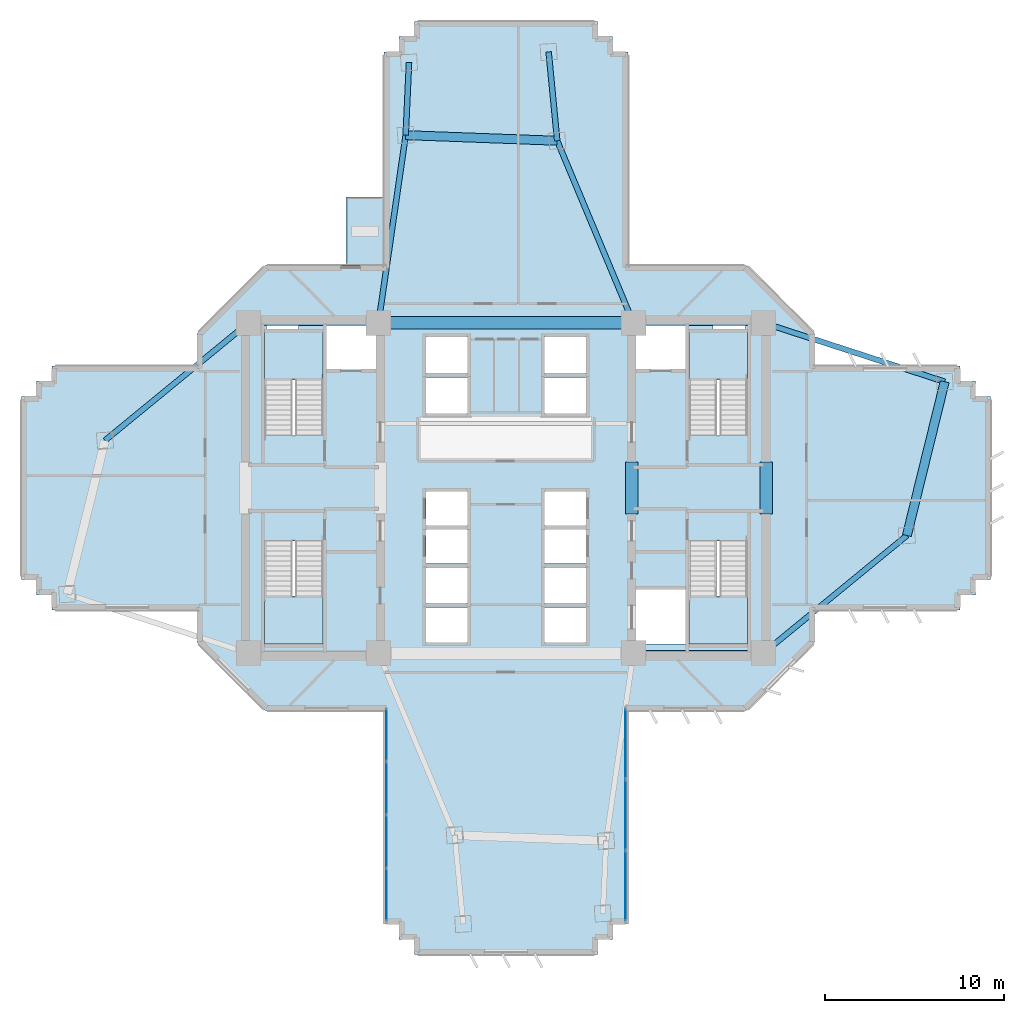
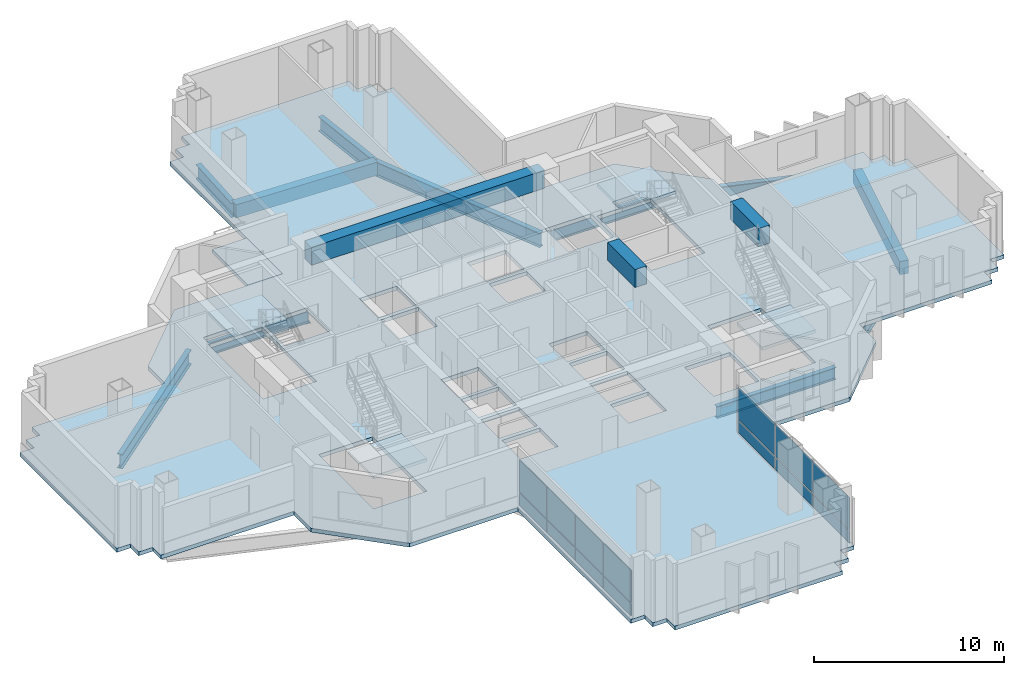
# One storey, part 4 of 14: 15 beams, 14 plates, 6 slabs, 6 elements without a shape of their own.
"""IFC4 building model written with IfcOpenShell, lengths in metres."""

import ifcopenshell
import ifcopenshell.guid

model = None  # the IFC model being written
_history = None  # IfcOwnerHistory: only IFC2X3 demands one
_inside = {}  # id of a spatial element -> (the spatial element, [elements in it])
_under = {}  # id of a project, library or spatial element -> (it, [spatial elements below it])
_declared = {}  # id of a project -> (the project, [libraries it declares])
_typed = {}  # id of a type object -> (the type object, [elements of that type])
_made_of = {}  # id of a material, layer set ... -> (it, [elements and type objects made of it])


def new_model(schema):
    """Start an empty IFC model of exactly this schema.

    Asked for "IFC4X3", IfcOpenShell would pick the latest addendum, in which some entities
    have other attributes; the version numbers below select the first issue.
    IFC2X3 requires an IfcOwnerHistory on every rooted entity: one is made here for all.
    """
    global model, _history
    if schema == "IFC4X3":
        model = ifcopenshell.file(schema_version=(4, 3, 0, 0))
    else:
        model = ifcopenshell.file(schema=schema)
    _inside.clear()
    _under.clear()
    _declared.clear()
    _typed.clear()
    _made_of.clear()
    _history = None
    if model.schema == "IFC2X3":
        org = make("IfcOrganization", Name="unknown")
        user = make(
            "IfcPersonAndOrganization",
            ThePerson=make("IfcPerson", FamilyName="unknown"),
            TheOrganization=org,
        )
        app = make(
            "IfcApplication",
            ApplicationDeveloper=org,
            Version="unknown",
            ApplicationFullName="unknown",
            ApplicationIdentifier="unknown",
        )
        _history = make(
            "IfcOwnerHistory",
            OwningUser=user,
            OwningApplication=app,
            ChangeAction="ADDED",
            CreationDate=0,
        )
    return model


def make(cls, **values):
    """One entity of the class cls with the attributes given. An attribute that is None is left unset."""
    return model.create_entity(
        cls, **{name: value for name, value in values.items() if value is not None}
    )


def rooted(cls, **values):
    """An entity with a GlobalId (a new one), such as an element, a storey or a relation."""
    return make(cls, GlobalId=ifcopenshell.guid.new(), OwnerHistory=_history, **values)


def si_unit(unit_type, name, prefix=None):
    """IfcSIUnit, for example si_unit("LENGTHUNIT", "METRE", prefix="MILLI")."""
    return make("IfcSIUnit", UnitType=unit_type, Prefix=prefix, Name=name)


def assignment(units):
    """IfcUnitAssignment: the units of a project."""
    return None if units is None else make("IfcUnitAssignment", Units=units)


def point(xyz):
    """IfcCartesianPoint."""
    return None if xyz is None else make("IfcCartesianPoint", Coordinates=xyz)


def direction(xyz):
    """IfcDirection."""
    return None if xyz is None else make("IfcDirection", DirectionRatios=xyz)


def frame(location, z_axis=None, x_axis=None):
    """IfcAxis2Placement3D, a coordinate frame: its origin and axes. An axis left out is left unset."""
    return make(
        "IfcAxis2Placement3D",
        Location=point(location),
        Axis=direction(z_axis),
        RefDirection=direction(x_axis),
    )


def frame_2d(location, x_axis=None):
    """IfcAxis2Placement2D, a coordinate frame in the plane: its origin and x axis."""
    return make(
        "IfcAxis2Placement2D", Location=point(location), RefDirection=direction(x_axis)
    )


def origin():
    """The frame at (0, 0, 0) with its axes left unset."""
    return frame((0.0, 0.0, 0.0))


def origin_2d():
    """The frame at (0, 0) in the plane with its x axis left unset."""
    return frame_2d((0.0, 0.0))


def place(relative_to, where):
    """IfcLocalPlacement: puts the frame where relative to a parent placement (None: the world)."""
    return make(
        "IfcLocalPlacement", PlacementRelTo=relative_to, RelativePlacement=where
    )


def context(
    kind, dimensions, precision=None, world=None, true_north=None, identifier=None
):
    """IfcGeometricRepresentationContext, for example the 3D "Model" context."""
    return make(
        "IfcGeometricRepresentationContext",
        ContextIdentifier=identifier,
        ContextType=kind,
        CoordinateSpaceDimension=dimensions,
        Precision=precision,
        WorldCoordinateSystem=world,
        TrueNorth=true_north,
    )


def subcontext(parent, identifier, kind, view, scale=None):
    """IfcGeometricRepresentationSubContext, for example "Body" below "Model"."""
    return make(
        "IfcGeometricRepresentationSubContext",
        ContextIdentifier=identifier,
        ContextType=kind,
        ParentContext=parent,
        TargetScale=scale,
        TargetView=view,
    )


def project(units=None, contexts=None):
    """IfcProject with its units and contexts."""
    return rooted(
        "IfcProject",
        Name="project",
        RepresentationContexts=contexts,
        UnitsInContext=assignment(units),
    )


def spatial(cls, under=None, at=None, **own):
    """A site, building, storey or space (cls), placed at a placement, below another one or the project."""
    s = rooted(cls, ObjectPlacement=at, **own)
    if under is not None:
        _under.setdefault(under.id(), (under, []))[1].append(s)
    return s


def polyline(points):
    """IfcPolyline through the points."""
    return make("IfcPolyline", Points=[point(p) for p in points])


def profile(cls, at=None, kind="AREA", **sizes):
    """A parametric profile (cls). Its sizes go by their IFC names, for example OverallWidth=200.0."""
    return make(cls, ProfileType=kind, Position=at, **sizes)


def rectangle(**sizes):
    """IfcRectangleProfileDef."""
    return profile("IfcRectangleProfileDef", **sizes)


def i_section(**sizes):
    """IfcIShapeProfileDef."""
    return profile("IfcIShapeProfileDef", **sizes)


def outline(outer, holes=None, kind="AREA"):
    """IfcArbitraryClosedProfileDef: a profile drawn as a closed curve; with holes, ...WithVoids."""
    if holes is None:
        return make("IfcArbitraryClosedProfileDef", ProfileType=kind, OuterCurve=outer)
    return make(
        "IfcArbitraryProfileDefWithVoids",
        ProfileType=kind,
        OuterCurve=outer,
        InnerCurves=holes,
    )


def extrude(swept, where, along, depth):
    """IfcExtrudedAreaSolid: the profile swept, set in the frame where, extruded along a direction by depth."""
    return make(
        "IfcExtrudedAreaSolid",
        SweptArea=swept,
        Position=where,
        ExtrudedDirection=direction(along),
        Depth=depth,
    )


def shape(context_of_items, identifier, shape_type, items):
    """IfcShapeRepresentation: the items that make up one representation, for example the "Body"."""
    return make(
        "IfcShapeRepresentation",
        ContextOfItems=context_of_items,
        RepresentationIdentifier=identifier,
        RepresentationType=shape_type,
        Items=items,
    )


def source(mapping_origin, context_of_items, identifier, shape_type, items):
    """IfcRepresentationMap: a shape defined once, which mapped items show again and again."""
    return make(
        "IfcRepresentationMap",
        MappingOrigin=mapping_origin,
        MappedRepresentation=shape(context_of_items, identifier, shape_type, items),
    )


def transform(
    local_origin,
    x_axis=None,
    y_axis=None,
    z_axis=None,
    scale=None,
    scale2=None,
    scale3=None,
    uniform=True,
):
    """IfcCartesianTransformationOperator3D, or its non-uniform kind. x_axis, y_axis, z_axis: its Axis1, 2, 3."""
    if uniform:
        return make(
            "IfcCartesianTransformationOperator3D",
            Axis1=direction(x_axis),
            Axis2=direction(y_axis),
            LocalOrigin=point(local_origin),
            Scale=scale,
            Axis3=direction(z_axis),
        )
    return make(
        "IfcCartesianTransformationOperator3DnonUniform",
        Axis1=direction(x_axis),
        Axis2=direction(y_axis),
        LocalOrigin=point(local_origin),
        Scale=scale,
        Axis3=direction(z_axis),
        Scale2=scale2,
        Scale3=scale3,
    )


def mapped(mapping_source, mapping_target):
    """IfcMappedItem: shows the shape of a source again, moved by a transform."""
    return make(
        "IfcMappedItem", MappingSource=mapping_source, MappingTarget=mapping_target
    )


def material(Name=None, Category=None):
    """IfcMaterial."""
    return make("IfcMaterial", Name=Name, Category=Category)


def layer(
    of_material, thickness, ventilated=None, Name=None, Category=None, Priority=None
):
    """IfcMaterialLayer: one layer of a wall or slab, of a material (None: an air gap)."""
    return make(
        "IfcMaterialLayer",
        Material=of_material,
        LayerThickness=thickness,
        IsVentilated=ventilated,
        Name=Name,
        Category=Category,
        Priority=Priority,
    )


def layer_set(layers, Name=None):
    """IfcMaterialLayerSet."""
    return make("IfcMaterialLayerSet", MaterialLayers=layers, LayerSetName=Name)


def material_profile(
    of_material, cross_section, Name=None, Category=None, Priority=None
):
    """IfcMaterialProfile: a cross section and its material."""
    return make(
        "IfcMaterialProfile",
        Name=Name,
        Material=of_material,
        Profile=cross_section,
        Priority=Priority,
        Category=Category,
    )


def profile_set(profiles, Name=None, composite=None):
    """IfcMaterialProfileSet."""
    return make(
        "IfcMaterialProfileSet",
        Name=Name,
        MaterialProfiles=profiles,
        CompositeProfile=composite,
    )


def made_of(thing, what):
    """Note that an element or type object is made of a material, layer set ...; save() writes the relation."""
    if what is not None:
        _made_of.setdefault(what.id(), (what, []))[1].append(thing)
    return thing


def type_object(cls, material=None, **own):
    """A type object (cls), such as IfcWallType, which elements share."""
    return made_of(rooted(cls, **own), material)


def element(
    cls,
    number,
    at=None,
    inside=None,
    cuts=None,
    type_object=None,
    material=None,
    context=None,
    identifier="Body",
    shape_type=None,
    held_by="IfcProductDefinitionShape",
    body=None,
    shapes=None,
    **own,
):
    """One element of the class cls, such as IfcWall. Its Tag is "e" and its number.

    at: its placement. inside: the storey or other place that contains it. cuts: it is an
    opening in that element (IfcRelVoidsElement). A single representation is given by context,
    identifier, shape_type and body (its items); several are given by shapes. held_by: the class
    of the entity that holds the representations. save() writes the other relations.
    """
    e = rooted(cls, Tag="e%d" % number, ObjectPlacement=at, **own)
    if body is not None:
        shapes = [shape(context, identifier, shape_type, body)]
    if shapes is not None:
        e.Representation = make(held_by, Representations=shapes)
    if inside is not None:
        _inside.setdefault(inside.id(), (inside, []))[1].append(e)
    if cuts is not None:
        rooted(
            "IfcRelVoidsElement", RelatingBuildingElement=cuts, RelatedOpeningElement=e
        )
    if type_object is not None:
        _typed.setdefault(type_object.id(), (type_object, []))[1].append(e)
    return made_of(e, material)


def aggregate(whole, parts):
    """IfcRelAggregates: a whole, such as a stair, and the parts it consists of."""
    return rooted("IfcRelAggregates", RelatingObject=whole, RelatedObjects=parts)


def save(model, path):
    """Write the relations noted so far, then the file.

    IfcRelAggregates (storeys below a building ...), IfcRelContainedInSpatialStructure (elements
    in a storey), IfcRelDefinesByType, IfcRelAssociatesMaterial and IfcRelDeclares: one each for
    every whole, place, type object, material and project.
    """
    for whole, parts in _under.values():
        aggregate(whole, parts)
    for where, things in _inside.values():
        rooted(
            "IfcRelContainedInSpatialStructure",
            RelatedElements=things,
            RelatingStructure=where,
        )
    for kind, things in _typed.values():
        rooted("IfcRelDefinesByType", RelatedObjects=things, RelatingType=kind)
    for what, things in _made_of.values():
        rooted("IfcRelAssociatesMaterial", RelatedObjects=things, RelatingMaterial=what)
    for by, libraries in _declared.values():
        rooted("IfcRelDeclares", RelatingContext=by, RelatedDefinitions=libraries)
    model.write(path)


model = new_model("IFC4")

# Units and contexts
model_context = context("Model", 3, precision=1e-05, world=origin(), true_north=direction((0.0, 1.0)))
body_context = subcontext(model_context, "Body", "Model", "MODEL_VIEW")
ifc_project = project(units=[si_unit("LENGTHUNIT", "METRE"), si_unit("AREAUNIT", "SQUARE_METRE"), si_unit("VOLUMEUNIT", "CUBIC_METRE"), si_unit("PLANEANGLEUNIT", "RADIAN"), si_unit("MASSUNIT", "GRAM", prefix="KILO")], contexts=[model_context])

# Site, building, storey
site_placement = place(None, origin())
site = spatial("IfcSite", under=ifc_project, at=site_placement, CompositionType="ELEMENT")
building_placement = place(site_placement, origin())
building = spatial("IfcBuilding", under=site, at=building_placement, Name="Zahravan Cultural Tower", CompositionType="ELEMENT")
storey_placement = place(building_placement, frame((0.0, 0.0, 33.300048828125)))
storey = spatial("IfcBuildingStorey", under=building, at=storey_placement, Name="L06", CompositionType="ELEMENT", Elevation=33.300048828125)

# Beams
ifc_material_1 = material(Name="Concrete C50/60", Category="concrete")
ifc_material_profile_1 = material_profile(ifc_material_1, rectangle(XDim=0.699951171875, YDim=1.14990234375, at=origin_2d()), Name="RC700X1150")
ifc_profile_set_1 = profile_set([ifc_material_profile_1], Name="Concrete C50/60")
beam_type_1 = type_object("IfcBeamType", Name="BM-LN-RC700X1150", PredefinedType="LINTEL", material=ifc_profile_set_1)
shared_shape_1 = source(origin(), body_context, "Body", "SweptSolid", [
    extrude(rectangle(XDim=0.699951171875, YDim=1.14990234375, at=origin_2d()), origin(), (0.0, 0.0, 1.0), 14.2001953125),
])
beam_1_placement = place(storey_placement, frame((28.89990234375, 36.199951171875, 3.375), z_axis=(1.0, 0.0, 0.0), x_axis=(0.0, 1.0, 0.0)))
element("IfcBeam", 1, at=beam_1_placement, inside=storey, type_object=beam_type_1, Name="L06 Beam LN-L06-N", PredefinedType="LINTEL", context=body_context, shape_type="MappedRepresentation", body=[
    mapped(shared_shape_1, transform((0.0, 0.0, 0.0), x_axis=(1.0, 0.0, 0.0), y_axis=(0.0, 1.0, 0.0), z_axis=(0.0, 0.0, 1.0), scale=1.0)),
])
shared_shape_2 = source(origin(), body_context, "Body", "SweptSolid", [
    extrude(rectangle(XDim=0.699951171875, YDim=1.14990234375, at=origin_2d()), origin(), (0.0, 0.0, 1.0), 2.89990234375),
])
for number, where, z_axis, x_axis, name in (
    (2, (43.0, 25.550048828125, 3.375), (0.0, 1.0, 0.0), (-1.0, 0.0, 0.0), "L06 Beam LN-L06-PEW"),
    (3, (50.5, 25.550048828125, 3.375), (0.0, 1.0, 0.0), (-1.0, 0.0, 0.0), "L06 Beam LN-L06-PEE"),
):
    element("IfcBeam", number, at=place(storey_placement, frame(where, z_axis=z_axis, x_axis=x_axis)), inside=storey, type_object=beam_type_1, Name=name, PredefinedType="LINTEL", context=body_context, shape_type="MappedRepresentation", body=[
        mapped(shared_shape_2, transform((0.0, 0.0, 0.0), x_axis=(1.0, 0.0, 0.0), y_axis=(0.0, 1.0, 0.0), z_axis=(0.0, 0.0, 1.0), scale=1.0)),
    ])
ifc_material_2 = material(Name="Steel ASTM A992 Grade 50", Category="steel")
ifc_material_profile_2 = material_profile(ifc_material_2, i_section(OverallWidth=0.26611328125, OverallDepth=0.780029296875, WebThickness=0.0166015625, FlangeThickness=0.030029296875, FilletRadius=0.01904296875, at=origin_2d()), Name="W30X148")
ifc_profile_set_2 = profile_set([ifc_material_profile_2], Name="Steel ASTM A992 Grade 50")
beam_type_2 = type_object("IfcBeamType", Name="BM-G-W30X148", PredefinedType="BEAM", material=ifc_profile_set_2)
shared_shape_3 = source(origin(), body_context, "Body", "SweptSolid", [
    extrude(i_section(OverallWidth=0.26611328125, OverallDepth=0.780029296875, WebThickness=0.0166015625, FlangeThickness=0.030029296875, FilletRadius=0.01904296875, at=origin_2d()), origin(), (0.0, 0.0, 1.0), 7.25),
])
for number, where, z_axis, x_axis, name in (
    (4, (21.64990234375, 36.199951171875, -0.64013671875), (1.0, 0.0, 0.0), (0.0, 1.0, 0.0), "L06 Beam BG-L06-02"),
    (5, (43.10009765625, 17.800048828125, -0.64013671875), (1.0, 0.0, 0.0), (0.0, 1.0, 0.0), "L06 Beam BG-L06-04"),
    (6, (43.10009765625, 36.199951171875, -0.64013671875), (1.0, 0.0, 0.0), (0.0, 1.0, 0.0), "L06 Beam BG-L06-05"),
):
    element("IfcBeam", number, at=place(storey_placement, frame(where, z_axis=z_axis, x_axis=x_axis)), inside=storey, type_object=beam_type_2, Name=name, PredefinedType="BEAM", context=body_context, shape_type="MappedRepresentation", body=[
        mapped(shared_shape_3, transform((0.0, 0.0, 0.0), x_axis=(1.0, 0.0, 0.0), y_axis=(0.0, 1.0, 0.0), z_axis=(0.0, 0.0, 1.0), scale=1.0)),
    ])
ifc_material_profile_3 = material_profile(ifc_material_2, i_section(OverallWidth=0.30908203125, OverallDepth=0.931884765625, WebThickness=0.02099609375, FlangeThickness=0.034423828125, FilletRadius=0.02392578125, at=origin_2d()), Name="W36X210")
ifc_profile_set_3 = profile_set([ifc_material_profile_3], Name="Steel ASTM A992 Grade 50")
beam_type_3 = type_object("IfcBeamType", Name="BM-G-W36X210", PredefinedType="BEAM", material=ifc_profile_set_3)
shared_shape_4 = source(origin(), body_context, "Body", "SweptSolid", [
    extrude(i_section(OverallWidth=0.30908203125, OverallDepth=0.931884765625, WebThickness=0.02099609375, FlangeThickness=0.034423828125, FilletRadius=0.02392578125, at=origin_2d()), origin(), (0.0, 0.0, 1.0), 10.615966796875),
])
beam_2_placement = place(storey_placement, frame((50.35009765625, 36.199951171875, -0.716064453125), z_axis=(0.951063640083, -0.30899506875, 0.0), x_axis=(0.30899506875, 0.951063640083, 0.0)))
element("IfcBeam", 7, at=beam_2_placement, inside=storey, type_object=beam_type_3, Name="L06 Beam BG-L06-11", PredefinedType="BEAM", context=body_context, shape_type="MappedRepresentation", body=[
    mapped(shared_shape_4, transform((0.0, 0.0, 0.0), x_axis=(1.0, 0.0, 0.0), y_axis=(0.0, 1.0, 0.0), z_axis=(0.0, 0.0, 1.0), scale=1.0)),
])
shared_shape_5 = source(origin(), body_context, "Body", "SweptSolid", [
    extrude(i_section(OverallWidth=0.30908203125, OverallDepth=0.931884765625, WebThickness=0.02099609375, FlangeThickness=0.034423828125, FilletRadius=0.02392578125, at=origin_2d()), origin(), (0.0, 0.0, 1.0), 10.997802734375),
])
beam_3_placement = place(storey_placement, frame((43.10009765625, 36.199951171875, -0.716064453125), z_axis=(-0.385775211449, 0.922592806297, 0.0), x_axis=(-0.922592806297, -0.385775211449, 0.0)))
element("IfcBeam", 8, at=beam_3_placement, inside=storey, type_object=beam_type_3, Name="L06 Beam BG-L06-12", PredefinedType="BEAM", context=body_context, shape_type="MappedRepresentation", body=[
    mapped(shared_shape_5, transform((0.0, 0.0, 0.0), x_axis=(1.0, 0.0, 0.0), y_axis=(0.0, 1.0, 0.0), z_axis=(0.0, 0.0, 1.0), scale=1.0)),
])
shared_shape_6 = source(origin(), body_context, "Body", "SweptSolid", [
    extrude(i_section(OverallWidth=0.30908203125, OverallDepth=0.931884765625, WebThickness=0.02099609375, FlangeThickness=0.034423828125, FilletRadius=0.02392578125, at=origin_2d()), origin(), (0.0, 0.0, 1.0), 10.5673828125),
])
beam_4_placement = place(storey_placement, frame((28.89990234375, 36.199951171875, -0.716064453125), z_axis=(0.143377913539, 0.989668011966, 0.0), x_axis=(-0.989668011966, 0.143377913539, 0.0)))
element("IfcBeam", 9, at=beam_4_placement, inside=storey, type_object=beam_type_3, Name="L06 Beam BG-L06-13", PredefinedType="BEAM", context=body_context, shape_type="MappedRepresentation", body=[
    mapped(shared_shape_6, transform((0.0, 0.0, 0.0), x_axis=(1.0, 0.0, 0.0), y_axis=(0.0, 1.0, 0.0), z_axis=(0.0, 0.0, 1.0), scale=1.0)),
])
shared_shape_7 = source(origin(), body_context, "Body", "SweptSolid", [
    extrude(i_section(OverallWidth=0.30908203125, OverallDepth=0.931884765625, WebThickness=0.02099609375, FlangeThickness=0.034423828125, FilletRadius=0.02392578125, at=origin_2d()), origin(), (0.0, 0.0, 1.0), 10.33203125),
])
for number, where, z_axis, x_axis, name in (
    (10, (50.35009765625, 17.800048828125, -0.716064453125), (0.773231409473, 0.634123952713, 0.0), (-0.634123952713, 0.773231409473, 0.0), "L06 Beam BG-L06-10"),
    (11, (21.64990234375, 36.199951171875, -0.716064453125), (-0.773231409473, -0.634123952713, 0.0), (0.634123952713, -0.773231409473, 0.0), "L06 Beam BG-L06-14"),
):
    element("IfcBeam", number, at=place(storey_placement, frame(where, z_axis=z_axis, x_axis=x_axis)), inside=storey, type_object=beam_type_3, Name=name, PredefinedType="BEAM", context=body_context, shape_type="MappedRepresentation", body=[
        mapped(shared_shape_7, transform((0.0, 0.0, 0.0), x_axis=(1.0, 0.0, 0.0), y_axis=(0.0, 1.0, 0.0), z_axis=(0.0, 0.0, 1.0), scale=1.0)),
    ])
shared_shape_8 = source(origin(), body_context, "Body", "SweptSolid", [
    extrude(i_section(OverallWidth=0.30908203125, OverallDepth=0.931884765625, WebThickness=0.02099609375, FlangeThickness=0.034423828125, FilletRadius=0.02392578125, at=origin_2d()), origin(), (0.0, 0.0, 1.0), 4.973876953125),
])
beam_5_placement = place(storey_placement, frame((38.857421875, 46.346435546875, -0.716064453125), z_axis=(-0.096154779131, 0.995366394073, 0.0), x_axis=(-0.995366394073, -0.096154779131, 0.0)))
element("IfcBeam", 12, at=beam_5_placement, inside=storey, type_object=beam_type_3, Name="L06 Beam BG-L06-15", PredefinedType="BEAM", context=body_context, shape_type="MappedRepresentation", body=[
    mapped(shared_shape_8, transform((0.0, 0.0, 0.0), x_axis=(1.0, 0.0, 0.0), y_axis=(0.0, 1.0, 0.0), z_axis=(0.0, 0.0, 1.0), scale=1.0)),
])
shared_shape_9 = source(origin(), body_context, "Body", "SweptSolid", [
    extrude(i_section(OverallWidth=0.30908203125, OverallDepth=0.931884765625, WebThickness=0.02099609375, FlangeThickness=0.034423828125, FilletRadius=0.02392578125, at=origin_2d()), origin(), (0.0, 0.0, 1.0), 4.0537109375),
])
beam_6_placement = place(storey_placement, frame((30.4150390625, 46.658203125, -0.716064453125), z_axis=(0.045770994677, 0.998951958828, 0.0), x_axis=(-0.998951958828, 0.045770994677, 0.0)))
element("IfcBeam", 13, at=beam_6_placement, inside=storey, type_object=beam_type_3, Name="L06 Beam BG-L06-16", PredefinedType="BEAM", context=body_context, shape_type="MappedRepresentation", body=[
    mapped(shared_shape_9, transform((0.0, 0.0, 0.0), x_axis=(1.0, 0.0, 0.0), y_axis=(0.0, 1.0, 0.0), z_axis=(0.0, 0.0, 1.0), scale=1.0)),
])
ifc_material_profile_4 = material_profile(ifc_material_1, rectangle(XDim=0.5, YDim=0.85009765625, at=origin_2d()), Name="RC500X850")
ifc_profile_set_4 = profile_set([ifc_material_profile_4], Name="Concrete C50/60")
beam_type_4 = type_object("IfcBeamType", Name="BM-SP-RC500X850", PredefinedType="SPANDREL", material=ifc_profile_set_4)
shared_shape_10 = source(origin(), body_context, "Body", "SweptSolid", [
    extrude(rectangle(XDim=0.5, YDim=0.85009765625, at=origin_2d()), origin(), (0.0, 0.0, 1.0), 8.4482421875),
])
beam_7_placement = place(storey_placement, frame((38.857421875, 46.346435546875, -0.675048828125), z_axis=(-0.999318826256, 0.036903705643, 0.0), x_axis=(-0.036903705643, -0.999318826256, 0.0)))
element("IfcBeam", 14, at=beam_7_placement, inside=storey, type_object=beam_type_4, Name="L06 Beam SP-L06-21", PredefinedType="SPANDREL", context=body_context, shape_type="MappedRepresentation", body=[
    mapped(shared_shape_10, transform((0.0, 0.0, 0.0), x_axis=(1.0, 0.0, 0.0), y_axis=(0.0, 1.0, 0.0), z_axis=(0.0, 0.0, 1.0), scale=1.0)),
])
shared_shape_11 = source(origin(), body_context, "Body", "SweptSolid", [
    extrude(rectangle(XDim=0.5, YDim=0.85009765625, at=origin_2d()), origin(), (0.0, 0.0, 1.0), 8.8232421875),
])
beam_8_placement = place(storey_placement, frame((58.339111328125, 24.351806640625, -0.675048828125), z_axis=(0.238848860516, 0.971056755206, 0.0), x_axis=(-0.971056755206, 0.238848860516, 0.0)))
element("IfcBeam", 15, at=beam_8_placement, inside=storey, type_object=beam_type_4, Name="L06 Beam SP-L06-20", PredefinedType="SPANDREL", context=body_context, shape_type="MappedRepresentation", body=[
    mapped(shared_shape_11, transform((0.0, 0.0, 0.0), x_axis=(1.0, 0.0, 0.0), y_axis=(0.0, 1.0, 0.0), z_axis=(0.0, 0.0, 1.0), scale=1.0)),
])

# Stair, slab
ifc_material_3 = material(Name="Concrete C45/55", Category="concrete")
stair_type = type_object("IfcStairType", Name="STR-DL-1550-420", PredefinedType="HALF_TURN_STAIR", material=ifc_material_3)
stair_1_placement = place(storey_placement, origin())
stair_1 = element("IfcStair", 16, at=stair_1_placement, inside=storey, type_object=stair_type, Name="L06 West Core North Exit Stair ST-W1", PredefinedType="HALF_TURN_STAIR")
ifc_layer_1 = layer(ifc_material_3, 0.199951171875)
ifc_layer_set_1 = layer_set([ifc_layer_1], Name="Concrete C45/55")
slab_type_1 = type_object("IfcSlabType", Name="SL-STAIR-LND200", PredefinedType="LANDING", material=ifc_layer_set_1)
slab_1_placement = place(storey_placement, frame((0.0, 0.0, 1.89990234375)))
slab_1 = element("IfcSlab", 17, at=slab_1_placement, type_object=slab_type_1, Name="ST-W1 landing 1", PredefinedType="LANDING", context=body_context, shape_type="SweptSolid", body=[
    extrude(outline(polyline([(25.800048828125, 33.030029296875), (25.800048828125, 35.699951171875), (22.550048828125, 35.699951171875), (22.550048828125, 33.030029296875), (25.800048828125, 33.030029296875)])), origin(), (0.0, 0.0, 1.0), 0.199951171875),
])
aggregate(stair_1, [slab_1])

stair_2_placement = place(storey_placement, origin())
stair_2 = element("IfcStair", 18, at=stair_2_placement, inside=storey, type_object=stair_type, Name="L06 West Core South Exit Stair ST-W2", PredefinedType="HALF_TURN_STAIR")
slab_2_placement = place(storey_placement, frame((0.0, 0.0, 1.89990234375)))
slab_2 = element("IfcSlab", 19, at=slab_2_placement, type_object=slab_type_1, Name="ST-W2 landing 1", PredefinedType="LANDING", context=body_context, shape_type="SweptSolid", body=[
    extrude(outline(polyline([(22.550048828125, 20.969970703125), (22.550048828125, 18.300048828125), (25.800048828125, 18.300048828125), (25.800048828125, 20.969970703125), (22.550048828125, 20.969970703125)])), origin(), (0.0, 0.0, 1.0), 0.199951171875),
])
aggregate(stair_2, [slab_2])

stair_3_placement = place(storey_placement, origin())
stair_3 = element("IfcStair", 20, at=stair_3_placement, inside=storey, type_object=stair_type, Name="L06 East Core North Exit Stair ST-E1", PredefinedType="HALF_TURN_STAIR")
slab_3_placement = place(storey_placement, frame((0.0, 0.0, 1.89990234375)))
slab_3 = element("IfcSlab", 21, at=slab_3_placement, type_object=slab_type_1, Name="ST-E1 landing 1", PredefinedType="LANDING", context=body_context, shape_type="SweptSolid", body=[
    extrude(outline(polyline([(49.449951171875, 33.030029296875), (49.449951171875, 35.699951171875), (46.199951171875, 35.699951171875), (46.199951171875, 33.030029296875), (49.449951171875, 33.030029296875)])), origin(), (0.0, 0.0, 1.0), 0.199951171875),
])
aggregate(stair_3, [slab_3])

stair_4_placement = place(storey_placement, origin())
stair_4 = element("IfcStair", 22, at=stair_4_placement, inside=storey, type_object=stair_type, Name="L06 East Core South Exit Stair ST-E2", PredefinedType="HALF_TURN_STAIR")
slab_4_placement = place(storey_placement, frame((0.0, 0.0, 1.89990234375)))
slab_4 = element("IfcSlab", 23, at=slab_4_placement, type_object=slab_type_1, Name="ST-E2 landing 1", PredefinedType="LANDING", context=body_context, shape_type="SweptSolid", body=[
    extrude(outline(polyline([(46.199951171875, 20.969970703125), (46.199951171875, 18.300048828125), (49.449951171875, 18.300048828125), (49.449951171875, 20.969970703125), (46.199951171875, 20.969970703125)])), origin(), (0.0, 0.0, 1.0), 0.199951171875),
])
aggregate(stair_4, [slab_4])

# Slabs
ifc_material_4 = material(Name="Concrete C40/50", Category="concrete")
ifc_layer_2 = layer(ifc_material_4, 0.239990234375)
ifc_layer_set_2 = layer_set([ifc_layer_2], Name="Concrete C40/50")
slab_type_2 = type_object("IfcSlabType", Name="SL-TERR-240", PredefinedType="FLOOR", material=ifc_layer_set_2)
slab_5_placement = place(storey_placement, frame((0.0, 0.0, -0.239990234375)))
element("IfcSlab", 24, at=slab_5_placement, inside=storey, type_object=slab_type_2, Name="L06 Planted Sculpture Terrace NW", PredefinedType="FLOOR", context=body_context, shape_type="SweptSolid", body=[
    extrude(outline(polyline([(27.10009765625, 43.199951171875), (27.10009765625, 39.405029296875), (29.195068359375, 39.405029296875), (29.195068359375, 43.199951171875), (27.10009765625, 43.199951171875)])), origin(), (0.0, 0.0, 1.0), 0.239990234375),
])
ifc_layer_3 = layer(ifc_material_4, 0.25)
ifc_layer_set_3 = layer_set([ifc_layer_3], Name="Concrete C40/50")
slab_type_3 = type_object("IfcSlabType", Name="SL-TYP-250", PredefinedType="FLOOR", material=ifc_layer_set_3)
slab_6_placement = place(storey_placement, frame((0.0, 0.0, -0.25)))
element("IfcSlab", 25, at=slab_6_placement, inside=storey, type_object=slab_type_3, Name="L06 Structural Floor Slab", PredefinedType="FLOOR", context=body_context, shape_type="SweptSolid", body=[
    extrude(outline(polyline([(53.199951171875, 33.800048828125), (53.199951171875, 35.60009765625), (49.39990234375, 39.39990234375), (42.800048828125, 39.39990234375), (42.800048828125, 51.300048828125), (41.949951171875, 51.300048828125), (41.949951171875, 52.14990234375), (41.10009765625, 52.14990234375), (41.10009765625, 53.0), (30.89990234375, 53.0), (30.89990234375, 52.14990234375), (30.050048828125, 52.14990234375), (30.050048828125, 51.300048828125), (29.199951171875, 51.300048828125), (29.199951171875, 39.39990234375), (22.60009765625, 39.39990234375), (18.800048828125, 35.60009765625), (18.800048828125, 33.800048828125), (10.699951171875, 33.800048828125), (10.699951171875, 32.949951171875), (9.85009765625, 32.949951171875), (9.85009765625, 32.10009765625), (9.0, 32.10009765625), (9.0, 21.89990234375), (9.85009765625, 21.89990234375), (9.85009765625, 21.050048828125), (10.699951171875, 21.050048828125), (10.699951171875, 20.199951171875), (18.800048828125, 20.199951171875), (18.800048828125, 18.39990234375), (22.60009765625, 14.60009765625), (29.199951171875, 14.60009765625), (29.199951171875, 2.699951171875), (30.050048828125, 2.699951171875), (30.050048828125, 1.85009765625), (30.89990234375, 1.85009765625), (30.89990234375, 1.0), (41.10009765625, 1.0), (41.10009765625, 1.85009765625), (41.949951171875, 1.85009765625), (41.949951171875, 2.699951171875), (42.800048828125, 2.699951171875), (42.800048828125, 14.60009765625), (49.39990234375, 14.60009765625), (53.199951171875, 18.39990234375), (53.199951171875, 20.199951171875), (61.300048828125, 20.199951171875), (61.300048828125, 21.050048828125), (62.14990234375, 21.050048828125), (62.14990234375, 21.89990234375), (63.0, 21.89990234375), (63.0, 32.10009765625), (62.14990234375, 32.10009765625), (62.14990234375, 32.949951171875), (61.300048828125, 32.949951171875), (61.300048828125, 33.800048828125), (53.199951171875, 33.800048828125)]), holes=[polyline([(22.550048828125, 29.949951171875), (22.550048828125, 35.699951171875), (25.800048828125, 35.699951171875), (25.800048828125, 29.949951171875), (22.550048828125, 29.949951171875)]), polyline([(22.550048828125, 18.300048828125), (22.550048828125, 24.050048828125), (25.800048828125, 24.050048828125), (25.800048828125, 18.300048828125), (22.550048828125, 18.300048828125)]), polyline([(46.199951171875, 29.949951171875), (46.199951171875, 35.699951171875), (49.449951171875, 35.699951171875), (49.449951171875, 29.949951171875), (46.199951171875, 29.949951171875)]), polyline([(46.199951171875, 18.300048828125), (46.199951171875, 24.050048828125), (49.449951171875, 24.050048828125), (49.449951171875, 18.300048828125), (46.199951171875, 18.300048828125)]), polyline([(26.0, 33.60009765625), (26.0, 36.050048828125), (28.75, 36.050048828125), (28.75, 33.60009765625), (26.0, 33.60009765625)]), polyline([(43.25, 33.60009765625), (43.25, 36.050048828125), (46.0, 36.050048828125), (46.0, 33.60009765625), (43.25, 33.60009765625)]), polyline([(43.25, 18.300048828125), (43.25, 21.35009765625), (46.0, 21.35009765625), (46.0, 18.300048828125), (43.25, 18.300048828125)]), polyline([(31.550048828125, 33.39990234375), (31.550048828125, 35.39990234375), (33.85009765625, 35.39990234375), (33.85009765625, 33.39990234375), (31.550048828125, 33.39990234375)]), polyline([(31.550048828125, 31.14990234375), (31.550048828125, 33.14990234375), (33.85009765625, 33.14990234375), (33.85009765625, 31.14990234375), (31.550048828125, 31.14990234375)]), polyline([(38.14990234375, 33.39990234375), (38.14990234375, 35.39990234375), (40.449951171875, 35.39990234375), (40.449951171875, 33.39990234375), (38.14990234375, 33.39990234375)]), polyline([(38.14990234375, 31.14990234375), (38.14990234375, 33.14990234375), (40.449951171875, 33.14990234375), (40.449951171875, 31.14990234375), (38.14990234375, 31.14990234375)]), polyline([(31.550048828125, 20.60009765625), (31.550048828125, 22.550048828125), (33.85009765625, 22.550048828125), (33.85009765625, 20.60009765625), (31.550048828125, 20.60009765625)]), polyline([(31.550048828125, 18.39990234375), (31.550048828125, 20.35009765625), (33.85009765625, 20.35009765625), (33.85009765625, 18.39990234375), (31.550048828125, 18.39990234375)]), polyline([(38.14990234375, 20.60009765625), (38.14990234375, 22.550048828125), (40.449951171875, 22.550048828125), (40.449951171875, 20.60009765625), (38.14990234375, 20.60009765625)]), polyline([(38.14990234375, 18.39990234375), (38.14990234375, 20.35009765625), (40.449951171875, 20.35009765625), (40.449951171875, 18.39990234375), (38.14990234375, 18.39990234375)]), polyline([(31.550048828125, 24.89990234375), (31.550048828125, 26.800048828125), (33.85009765625, 26.800048828125), (33.85009765625, 24.89990234375), (31.550048828125, 24.89990234375)]), polyline([(31.550048828125, 22.800048828125), (31.550048828125, 24.699951171875), (33.85009765625, 24.699951171875), (33.85009765625, 22.800048828125), (31.550048828125, 22.800048828125)]), polyline([(38.14990234375, 24.89990234375), (38.14990234375, 26.800048828125), (40.449951171875, 26.800048828125), (40.449951171875, 24.89990234375), (38.14990234375, 24.89990234375)]), polyline([(38.14990234375, 22.800048828125), (38.14990234375, 24.699951171875), (40.449951171875, 24.699951171875), (40.449951171875, 22.800048828125), (38.14990234375, 22.800048828125)]), polyline([(22.64990234375, 35.800048828125), (22.64990234375, 36.419921875), (24.449951171875, 36.419921875), (24.449951171875, 35.800048828125), (22.64990234375, 35.800048828125)]), polyline([(47.550048828125, 35.800048828125), (47.550048828125, 36.419921875), (49.35009765625, 36.419921875), (49.35009765625, 35.800048828125), (47.550048828125, 35.800048828125)])]), origin(), (0.0, 0.0, 1.0), 0.25),
])

# Curtain wall, plates
ifc_material_5 = material(Name="Anodised bronze-aluminium mullion", Category="aluminium")
ifc_layer_4 = layer(ifc_material_5, 0.199951171875)
ifc_layer_set_4 = layer_set([ifc_layer_4], Name="Anodised bronze-aluminium mullion")
curtain_wall_type_1 = type_object("IfcCurtainWallType", Name="CW-SYS-2", PredefinedType="USERDEFINED", material=ifc_layer_set_4)
curtain_wall_1_placement = place(storey_placement, origin())
curtain_wall_1 = element("IfcCurtainWall", 26, at=curtain_wall_1_placement, inside=storey, type_object=curtain_wall_type_1, Name="L06 Recessed Curtain Wall CW-2.1", ObjectType="RECESSED GLAZING", PredefinedType="USERDEFINED")
ifc_material_6 = material(Name="Low-E solar-control double glazing", Category="glass")
ifc_layer_5 = layer(ifc_material_6, 0.030029296875)
ifc_layer_set_5 = layer_set([ifc_layer_5], Name="Low-E solar-control double glazing")
plate_type_1 = type_object("IfcPlateType", Name="CWP-CW-2", PredefinedType="CURTAIN_PANEL", material=ifc_layer_set_5)
shared_shape_12 = source(origin(), body_context, "Body", "SweptSolid", [
    extrude(rectangle(XDim=3.854248046875, YDim=0.030029296875, at=origin_2d()), origin(), (0.0, 0.0, 1.0), 0.78759765625),
])
plate_1_placement = place(storey_placement, frame((42.659912109375, 12.738037109375, 0.074951171875), z_axis=(0.0, 0.0, 1.0), x_axis=(0.0, -1.0, 0.0)))
plate_1 = element("IfcPlate", 27, at=plate_1_placement, type_object=plate_type_1, Name="CW-2 panel 1.1", PredefinedType="CURTAIN_PANEL", context=body_context, shape_type="MappedRepresentation", body=[
    mapped(shared_shape_12, transform((0.0, 0.0, 0.0), x_axis=(1.0, 0.0, 0.0), y_axis=(0.0, 1.0, 0.0), z_axis=(0.0, 0.0, 1.0), scale=1.0)),
])
plate_2_placement = place(storey_placement, frame((42.659912109375, 4.842041015625, 0.074951171875), z_axis=(0.0, 0.0, 1.0), x_axis=(0.0, -1.0, 0.0)))
plate_2 = element("IfcPlate", 28, at=plate_2_placement, type_object=plate_type_1, Name="CW-2 panel 3.1", PredefinedType="CURTAIN_PANEL", context=body_context, shape_type="MappedRepresentation", body=[
    mapped(shared_shape_12, transform((0.0, 0.0, 0.0), x_axis=(1.0, 0.0, 0.0), y_axis=(0.0, 1.0, 0.0), z_axis=(0.0, 0.0, 1.0), scale=1.0)),
])
shared_shape_13 = source(origin(), body_context, "Body", "SweptSolid", [
    extrude(rectangle(XDim=3.854248046875, YDim=0.030029296875, at=origin_2d()), origin(), (0.0, 0.0, 1.0), 2.0576171875),
])
plate_3_placement = place(storey_placement, frame((42.659912109375, 12.738037109375, 0.9375), z_axis=(0.0, 0.0, 1.0), x_axis=(0.0, -1.0, 0.0)))
plate_3 = element("IfcPlate", 29, at=plate_3_placement, type_object=plate_type_1, Name="CW-2 panel 1.2", PredefinedType="CURTAIN_PANEL", context=body_context, shape_type="MappedRepresentation", body=[
    mapped(shared_shape_13, transform((0.0, 0.0, 0.0), x_axis=(1.0, 0.0, 0.0), y_axis=(0.0, 1.0, 0.0), z_axis=(0.0, 0.0, 1.0), scale=1.0)),
])
plate_4_placement = place(storey_placement, frame((42.659912109375, 4.842041015625, 0.9375), z_axis=(0.0, 0.0, 1.0), x_axis=(0.0, -1.0, 0.0)))
plate_4 = element("IfcPlate", 30, at=plate_4_placement, type_object=plate_type_1, Name="CW-2 panel 3.2", PredefinedType="CURTAIN_PANEL", context=body_context, shape_type="MappedRepresentation", body=[
    mapped(shared_shape_13, transform((0.0, 0.0, 0.0), x_axis=(1.0, 0.0, 0.0), y_axis=(0.0, 1.0, 0.0), z_axis=(0.0, 0.0, 1.0), scale=1.0)),
])
shared_shape_14 = source(origin(), body_context, "Body", "SweptSolid", [
    extrude(rectangle(XDim=3.8916015625, YDim=0.030029296875, at=origin_2d()), origin(), (0.0, 0.0, 1.0), 0.78759765625),
])
plate_5_placement = place(storey_placement, frame((42.659912109375, 8.7900390625, 0.074951171875), z_axis=(0.0, 0.0, 1.0), x_axis=(0.0, -1.0, 0.0)))
plate_5 = element("IfcPlate", 31, at=plate_5_placement, type_object=plate_type_1, Name="CW-2 panel 2.1", PredefinedType="CURTAIN_PANEL", context=body_context, shape_type="MappedRepresentation", body=[
    mapped(shared_shape_14, transform((0.0, 0.0, 0.0), x_axis=(1.0, 0.0, 0.0), y_axis=(0.0, 1.0, 0.0), z_axis=(0.0, 0.0, 1.0), scale=1.0)),
])
shared_shape_15 = source(origin(), body_context, "Body", "SweptSolid", [
    extrude(rectangle(XDim=3.8916015625, YDim=0.030029296875, at=origin_2d()), origin(), (0.0, 0.0, 1.0), 2.0576171875),
])
plate_6_placement = place(storey_placement, frame((42.659912109375, 8.7900390625, 0.9375), z_axis=(0.0, 0.0, 1.0), x_axis=(0.0, -1.0, 0.0)))
plate_6 = element("IfcPlate", 32, at=plate_6_placement, type_object=plate_type_1, Name="CW-2 panel 2.2", PredefinedType="CURTAIN_PANEL", context=body_context, shape_type="MappedRepresentation", body=[
    mapped(shared_shape_15, transform((0.0, 0.0, 0.0), x_axis=(1.0, 0.0, 0.0), y_axis=(0.0, 1.0, 0.0), z_axis=(0.0, 0.0, 1.0), scale=1.0)),
])
aggregate(curtain_wall_1, [plate_1, plate_3, plate_5, plate_6, plate_2, plate_4])

ifc_layer_6 = layer(ifc_material_5, 0.179931640625)
ifc_layer_set_6 = layer_set([ifc_layer_6], Name="Anodised bronze-aluminium mullion")
curtain_wall_type_2 = type_object("IfcCurtainWallType", Name="CW-SYS-3", PredefinedType="USERDEFINED", material=ifc_layer_set_6)
curtain_wall_2_placement = place(storey_placement, origin())
curtain_wall_2 = element("IfcCurtainWall", 33, at=curtain_wall_2_placement, inside=storey, type_object=curtain_wall_type_2, Name="L06 Recessed Curtain Wall CW-3.2", ObjectType="RECESSED GLAZING", PredefinedType="USERDEFINED")
ifc_layer_7 = layer(ifc_material_6, 0.028076171875)
ifc_layer_set_7 = layer_set([ifc_layer_7], Name="Low-E solar-control double glazing")
plate_type_2 = type_object("IfcPlateType", Name="CWP-CW-3", PredefinedType="CURTAIN_PANEL", material=ifc_layer_set_7)
shared_shape_16 = source(origin(), body_context, "Body", "SweptSolid", [
    extrude(rectangle(XDim=2.8701171875, YDim=0.028076171875, at=origin_2d()), origin(), (0.0, 0.0, 1.0), 0.794921875),
])
plate_7_placement = place(storey_placement, frame((29.340087890625, 4.344970703125, 0.070068359375), z_axis=(0.0, 0.0, 1.0), x_axis=(0.0, 1.0, 0.0)))
plate_7 = element("IfcPlate", 34, at=plate_7_placement, type_object=plate_type_2, Name="CW-3 panel 1.1", PredefinedType="CURTAIN_PANEL", context=body_context, shape_type="MappedRepresentation", body=[
    mapped(shared_shape_16, transform((0.0, 0.0, 0.0), x_axis=(1.0, 0.0, 0.0), y_axis=(0.0, 1.0, 0.0), z_axis=(0.0, 0.0, 1.0), scale=1.0)),
])
plate_8_placement = place(storey_placement, frame((29.340087890625, 13.235107421875, 0.070068359375), z_axis=(0.0, 0.0, 1.0), x_axis=(0.0, 1.0, 0.0)))
plate_8 = element("IfcPlate", 35, at=plate_8_placement, type_object=plate_type_2, Name="CW-3 panel 4.1", PredefinedType="CURTAIN_PANEL", context=body_context, shape_type="MappedRepresentation", body=[
    mapped(shared_shape_16, transform((0.0, 0.0, 0.0), x_axis=(1.0, 0.0, 0.0), y_axis=(0.0, 1.0, 0.0), z_axis=(0.0, 0.0, 1.0), scale=1.0)),
])
shared_shape_17 = source(origin(), body_context, "Body", "SweptSolid", [
    extrude(rectangle(XDim=2.8701171875, YDim=0.028076171875, at=origin_2d()), origin(), (0.0, 0.0, 1.0), 2.06494140625),
])
plate_9_placement = place(storey_placement, frame((29.340087890625, 4.344970703125, 0.93505859375), z_axis=(0.0, 0.0, 1.0), x_axis=(0.0, 1.0, 0.0)))
plate_9 = element("IfcPlate", 36, at=plate_9_placement, type_object=plate_type_2, Name="CW-3 panel 1.2", PredefinedType="CURTAIN_PANEL", context=body_context, shape_type="MappedRepresentation", body=[
    mapped(shared_shape_17, transform((0.0, 0.0, 0.0), x_axis=(1.0, 0.0, 0.0), y_axis=(0.0, 1.0, 0.0), z_axis=(0.0, 0.0, 1.0), scale=1.0)),
])
plate_10_placement = place(storey_placement, frame((29.340087890625, 13.235107421875, 0.93505859375), z_axis=(0.0, 0.0, 1.0), x_axis=(0.0, 1.0, 0.0)))
plate_10 = element("IfcPlate", 37, at=plate_10_placement, type_object=plate_type_2, Name="CW-3 panel 4.2", PredefinedType="CURTAIN_PANEL", context=body_context, shape_type="MappedRepresentation", body=[
    mapped(shared_shape_17, transform((0.0, 0.0, 0.0), x_axis=(1.0, 0.0, 0.0), y_axis=(0.0, 1.0, 0.0), z_axis=(0.0, 0.0, 1.0), scale=1.0)),
])
shared_shape_18 = source(origin(), body_context, "Body", "SweptSolid", [
    extrude(rectangle(XDim=2.905029296875, YDim=0.028076171875, at=origin_2d()), origin(), (0.0, 0.0, 1.0), 0.794921875),
])
plate_11_placement = place(storey_placement, frame((29.340087890625, 7.302490234375, 0.070068359375), z_axis=(0.0, 0.0, 1.0), x_axis=(0.0, 1.0, 0.0)))
plate_11 = element("IfcPlate", 38, at=plate_11_placement, type_object=plate_type_2, Name="CW-3 panel 2.1", PredefinedType="CURTAIN_PANEL", context=body_context, shape_type="MappedRepresentation", body=[
    mapped(shared_shape_18, transform((0.0, 0.0, 0.0), x_axis=(1.0, 0.0, 0.0), y_axis=(0.0, 1.0, 0.0), z_axis=(0.0, 0.0, 1.0), scale=1.0)),
])
plate_12_placement = place(storey_placement, frame((29.340087890625, 10.277587890625, 0.070068359375), z_axis=(0.0, 0.0, 1.0), x_axis=(0.0, 1.0, 0.0)))
plate_12 = element("IfcPlate", 39, at=plate_12_placement, type_object=plate_type_2, Name="CW-3 panel 3.1", PredefinedType="CURTAIN_PANEL", context=body_context, shape_type="MappedRepresentation", body=[
    mapped(shared_shape_18, transform((0.0, 0.0, 0.0), x_axis=(1.0, 0.0, 0.0), y_axis=(0.0, 1.0, 0.0), z_axis=(0.0, 0.0, 1.0), scale=1.0)),
])
shared_shape_19 = source(origin(), body_context, "Body", "SweptSolid", [
    extrude(rectangle(XDim=2.905029296875, YDim=0.028076171875, at=origin_2d()), origin(), (0.0, 0.0, 1.0), 2.06494140625),
])
plate_13_placement = place(storey_placement, frame((29.340087890625, 7.302490234375, 0.93505859375), z_axis=(0.0, 0.0, 1.0), x_axis=(0.0, 1.0, 0.0)))
plate_13 = element("IfcPlate", 40, at=plate_13_placement, type_object=plate_type_2, Name="CW-3 panel 2.2", PredefinedType="CURTAIN_PANEL", context=body_context, shape_type="MappedRepresentation", body=[
    mapped(shared_shape_19, transform((0.0, 0.0, 0.0), x_axis=(1.0, 0.0, 0.0), y_axis=(0.0, 1.0, 0.0), z_axis=(0.0, 0.0, 1.0), scale=1.0)),
])
plate_14_placement = place(storey_placement, frame((29.340087890625, 10.277587890625, 0.93505859375), z_axis=(0.0, 0.0, 1.0), x_axis=(0.0, 1.0, 0.0)))
plate_14 = element("IfcPlate", 41, at=plate_14_placement, type_object=plate_type_2, Name="CW-3 panel 3.2", PredefinedType="CURTAIN_PANEL", context=body_context, shape_type="MappedRepresentation", body=[
    mapped(shared_shape_19, transform((0.0, 0.0, 0.0), x_axis=(1.0, 0.0, 0.0), y_axis=(0.0, 1.0, 0.0), z_axis=(0.0, 0.0, 1.0), scale=1.0)),
])
aggregate(curtain_wall_2, [plate_7, plate_9, plate_11, plate_13, plate_12, plate_14, plate_8, plate_10])

save(model, "model.ifc")
